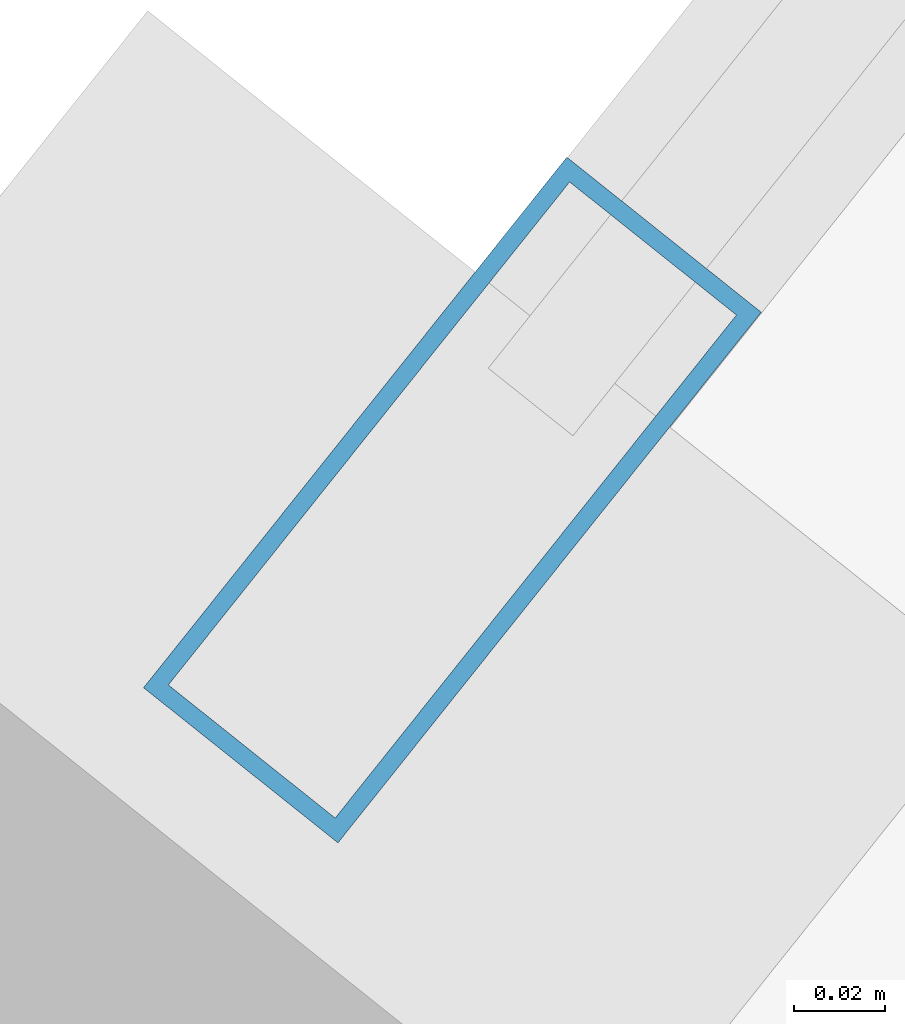
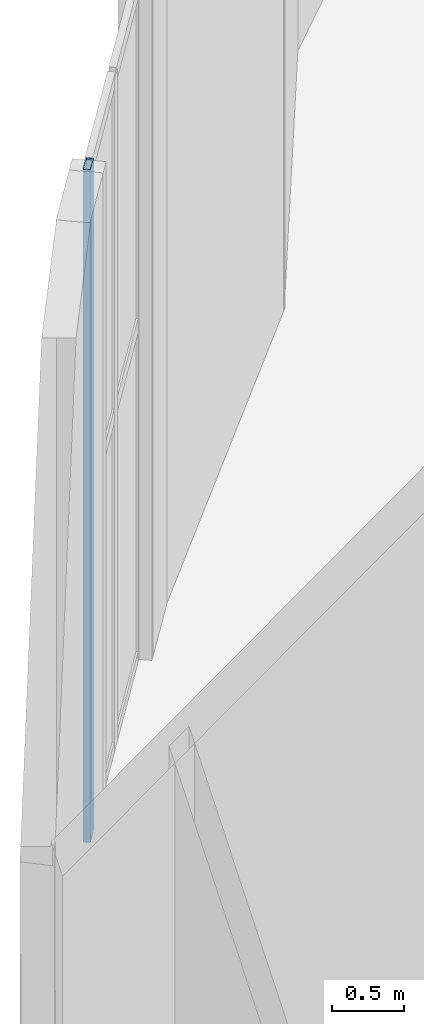
# One storey, part 4 of 11: 1 member, 1 element without a shape of its own.
"""IFC4 building model written with IfcOpenShell, lengths in metres."""

from ifc_helpers import new_model, si_unit, direction, frame, origin, origin_2d, place, context, subcontext, project, spatial, hollow_rectangle, extrude, material, layer, layer_set, material_profile, profile_set, type_object, element, aggregate, save


model = new_model("IFC4")

# Units and contexts
model_context = context("Model", 3, precision=1e-05, world=origin(), true_north=direction((0.0, 1.0)))
body_context = subcontext(model_context, "Body", "Model", "MODEL_VIEW")
ifc_project = project(units=[si_unit("LENGTHUNIT", "METRE"), si_unit("AREAUNIT", "SQUARE_METRE"), si_unit("VOLUMEUNIT", "CUBIC_METRE"), si_unit("PLANEANGLEUNIT", "RADIAN"), si_unit("MASSUNIT", "GRAM", prefix="KILO")], contexts=[model_context])

# Site, building, storey
site_placement = place(None, origin())
site = spatial("IfcSite", under=ifc_project, at=site_placement, CompositionType="ELEMENT")
building_placement = place(site_placement, origin())
building = spatial("IfcBuilding", under=site, at=building_placement, Name="Miruveldt Soraemaru", CompositionType="ELEMENT")
storey_placement = place(building_placement, frame((0.0, 0.0, 300.800048828125)))
storey = spatial("IfcBuildingStorey", under=building, at=storey_placement, Name="L80", CompositionType="ELEMENT", Elevation=300.800048828125)

# Curtain wall, member
ifc_material = material(Name="Anodised aluminium EN AW-6063 T6", Category="aluminium")
ifc_layer = layer(ifc_material, 0.14990234375, Name="Anodised aluminium EN AW-6063 T6", Category="aluminium")
ifc_layer_set = layer_set([ifc_layer], Name="Anodised aluminium EN AW-6063 T6")
curtain_wall_type = type_object("IfcCurtainWallType", Name="CW-SYS-6", PredefinedType="USERDEFINED", material=ifc_layer_set)
curtain_wall_placement = place(storey_placement, origin())
curtain_wall = element("IfcCurtainWall", 1, at=curtain_wall_placement, inside=storey, type_object=curtain_wall_type, Name="L80 Curtain Wall Bay 8", ObjectType="UNITISED GLAZING", PredefinedType="USERDEFINED")
ifc_material_profile = material_profile(ifc_material, hollow_rectangle(XDim=0.054931640625, YDim=0.14990234375, WallThickness=0.00390625, at=origin_2d()), Name="Anodised aluminium EN AW-6063 T6", Category="aluminium")
ifc_profile_set = profile_set([ifc_material_profile], Name="Anodised aluminium EN AW-6063 T6")
member_type = type_object("IfcMemberType", Name="CWM-6", PredefinedType="MULLION", material=ifc_profile_set)
member_placement = place(storey_placement, frame((34.711669921875, 58.14111328125, 0.0), z_axis=(0.0, 0.0, 1.0), x_axis=(0.781722356482, -0.623626616956, 0.0)))
member = element("IfcMember", 2, at=member_placement, type_object=member_type, Name="CW-6 mullion 3", PredefinedType="MULLION", context=body_context, shape_type="SweptSolid", body=[
    extrude(hollow_rectangle(XDim=0.054931640625, YDim=0.14990234375, WallThickness=0.00390625, at=origin_2d()), origin(), (0.0, 0.0, 1.0), 5.739990234375),
])
aggregate(curtain_wall, [member])

save(model, "model.ifc")
